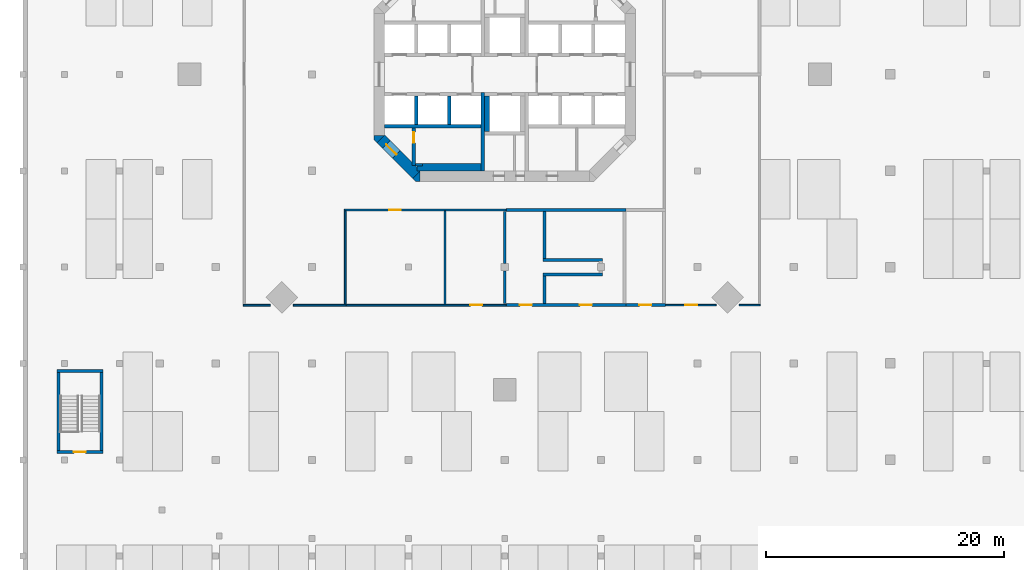
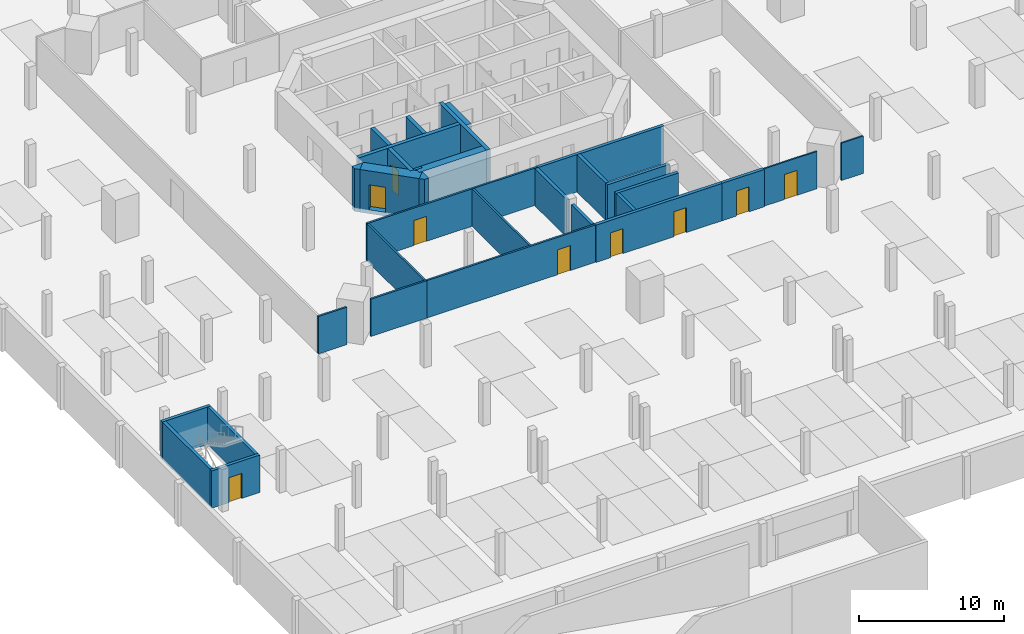
# One storey, part 3 of 14: 32 walls, 9 doors, 9 openings.
"""IFC4 building model written with IfcOpenShell, lengths in metres."""

from ifc_helpers import new_model, si_unit, direction, frame, frame_2d, origin, place, context, subcontext, project, spatial, polyline, rectangle, outline, extrude, material, layer, layer_set, type_object, element, fill, save


model = new_model("IFC4")

# Units and contexts
model_context = context("Model", 3, precision=1e-05, world=origin(), true_north=direction((0.0, 1.0)))
body_context = subcontext(model_context, "Body", "Model", "MODEL_VIEW")
ifc_project = project(units=[si_unit("LENGTHUNIT", "METRE"), si_unit("AREAUNIT", "SQUARE_METRE"), si_unit("VOLUMEUNIT", "CUBIC_METRE"), si_unit("PLANEANGLEUNIT", "RADIAN"), si_unit("MASSUNIT", "GRAM", prefix="KILO")], contexts=[model_context])

# Site, building, storey
site_placement = place(None, origin())
site = spatial("IfcSite", under=ifc_project, at=site_placement, CompositionType="ELEMENT")
building_placement = place(site_placement, origin())
building = spatial("IfcBuilding", under=site, at=building_placement, Name="Torre Triforio", CompositionType="ELEMENT")
storey_placement = place(building_placement, frame((0.0, 0.0, -3.60009765625)))
storey = spatial("IfcBuildingStorey", under=building, at=storey_placement, Name="B1", CompositionType="ELEMENT", Elevation=-3.60009765625)

# Wall
ifc_material_1 = material(Name="Concrete C60", Category="concrete")
ifc_layer_1 = layer(ifc_material_1, 0.300048828125)
ifc_layer_set_1 = layer_set([ifc_layer_1], Name="Concrete C60")
wall_type_1 = type_object("IfcWallType", Name="Core wall 300 mm C60 EI 120", PredefinedType="SHEAR", material=ifc_layer_set_1)
wall_1_placement = place(storey_placement, frame((-1.85009765625, -8.10009765625, 0.0), z_axis=(0.0, 0.0, 1.0), x_axis=(0.0, 1.0, 0.0)))
element("IfcWall", 1, at=wall_1_placement, inside=storey, type_object=wall_type_1, Name="Core wall", PredefinedType="SHEAR", context=body_context, shape_type="SweptSolid", body=[
    extrude(rectangle(XDim=6.60009765625, YDim=0.300048828125, at=frame_2d((3.300048828125, 0.0))), origin(), (0.0, 0.0, 1.0), 3.280029296875),
])

# Wall, opening, door
ifc_layer_2 = layer(ifc_material_1, 0.89990234375)
ifc_layer_set_2 = layer_set([ifc_layer_2], Name="Concrete C60")
wall_type_2 = type_object("IfcWallType", Name="Core wall 900 mm C60 EI 120", PredefinedType="SHEAR", material=ifc_layer_set_2)
wall_2_placement = place(storey_placement, frame((-7.418212890625, -8.418212890625, -0.31982421875), z_axis=(0.0, 0.0, 1.0), x_axis=(-0.707106781187, 0.707106781187, 0.0)))
wall_2 = element("IfcWall", 2, at=wall_2_placement, inside=storey, type_object=wall_type_2, Name="Core wall", PredefinedType="SHEAR", context=body_context, shape_type="SweptSolid", body=[
    extrude(rectangle(XDim=4.24267578125, YDim=0.89990234375, at=frame_2d((2.121337890625, 0.0))), origin(), (0.0, 0.0, 1.0), 3.599853515625),
])
opening_1_placement = place(wall_2_placement, frame((2.392578125, 0.0, 0.320068359375)))
opening_1 = element("IfcOpeningElement", 3, at=opening_1_placement, cuts=wall_2, Name="Opening ST3-EXIT", PredefinedType="OPENING", context=body_context, shape_type="SweptSolid", body=[
    extrude(rectangle(XDim=1.199951171875, YDim=2.10009765625, at=frame_2d((0.60009765625, 1.050048828125))), frame((0.0, 0.4599609375, 0.0), z_axis=(0.0, -1.0, 0.0), x_axis=(1.0, 0.0, 0.0)), (0.0, 0.0, 1.0), 0.919921875),
])
ifc_material_2 = material(Name="Hollow metal fire door leaf")
door_type_1 = type_object("IfcDoorType", Name="Stair lobby door 1200 x 2100 EI 60", OperationType="NOTDEFINED", PredefinedType="DOOR", material=ifc_material_2)
door_1_placement = place(opening_1_placement, origin())
door_1 = element("IfcDoor", 4, at=door_1_placement, inside=storey, type_object=door_type_1, Name="Core door ST3-EXIT", OperationType="SINGLE_SWING_RIGHT", OverallHeight=2.10009765625, OverallWidth=1.199951171875, PredefinedType="DOOR", context=body_context, shape_type="SweptSolid", body=[
    extrude(rectangle(XDim=1.199951171875, YDim=2.10009765625, at=frame_2d((0.60009765625, 1.050048828125))), frame((0.0, 0.02490234375, 0.0), z_axis=(0.0, -1.0, 0.0), x_axis=(1.0, 0.0, 0.0)), (0.0, 0.0, 1.0), 0.050048828125),
])
fill(opening_1, door_1)

# Walls
wall_3_placement = place(storey_placement, frame((0.0, 0.0, -0.31982421875)))
element("IfcWall", 5, at=wall_3_placement, inside=storey, type_object=wall_type_2, Name="Core wall", PredefinedType="SHEAR", context=body_context, shape_type="SweptSolid", body=[
    extrude(outline(polyline([(-7.472900390625, -9.0), (-7.736328125, -8.736328125), (-7.1298828125, -8.1298828125), (-7.1298828125, -9.0), (-7.472900390625, -9.0)])), origin(), (0.0, 0.0, 1.0), 3.599853515625),
])
wall_4_placement = place(storey_placement, frame((0.0, 0.0, -0.31982421875)))
element("IfcWall", 6, at=wall_4_placement, inside=storey, type_object=wall_type_2, Name="Core wall", PredefinedType="SHEAR", context=body_context, shape_type="SweptSolid", body=[
    extrude(outline(polyline([(-11.0, -5.472900390625), (-11.0, -5.1298828125), (-10.1298828125, -5.1298828125), (-10.736328125, -5.736328125), (-11.0, -5.472900390625)])), origin(), (0.0, 0.0, 1.0), 3.599853515625),
])
ifc_material_3 = material(Name="Plasterboard on metal studs")
ifc_layer_3 = layer(ifc_material_3, 0.14990234375)
ifc_layer_set_3 = layer_set([ifc_layer_3], Name="Plasterboard on metal studs")
wall_type_3 = type_object("IfcWallType", Name="Corridor wall 150 EI 60", PredefinedType="PARTITIONING", material=ifc_layer_set_3)
wall_5_placement = place(storey_placement, frame((-21.97509765625, -19.39990234375, 0.0), z_axis=(0.0, 0.0, 1.0), x_axis=(1.0, 0.0, 0.0)))
element("IfcWall", 7, at=wall_5_placement, inside=storey, type_object=wall_type_3, Name="Corridor wall B1 018", PredefinedType="PARTITIONING", context=body_context, shape_type="SweptSolid", body=[
    extrude(rectangle(XDim=2.27685546875, YDim=0.14990234375, at=frame_2d((1.138427734375, 0.0))), origin(), (0.0, 0.0, 1.0), 3.150146484375),
])
wall_6_placement = place(storey_placement, frame((-17.7783203125, -19.39990234375, 0.0), z_axis=(0.0, 0.0, 1.0), x_axis=(1.0, 0.0, 0.0)))
element("IfcWall", 8, at=wall_6_placement, inside=storey, type_object=wall_type_3, Name="Corridor wall B1 019", PredefinedType="PARTITIONING", context=body_context, shape_type="SweptSolid", body=[
    extrude(rectangle(XDim=4.453369140625, YDim=0.14990234375, at=frame_2d((2.2265625, 0.0))), origin(), (0.0, 0.0, 1.0), 3.150146484375),
])

# Wall, opening, door
ifc_layer_4 = layer(ifc_material_3, 0.1201171875)
ifc_layer_set_4 = layer_set([ifc_layer_4], Name="Plasterboard on metal studs")
wall_type_4 = type_object("IfcWallType", Name="Partition 120", PredefinedType="PARTITIONING", material=ifc_layer_set_4)
wall_7_placement = place(storey_placement, frame((13.52490234375, -19.39990234375, 0.0), z_axis=(0.0, 0.0, 1.0), x_axis=(1.0, 0.0, 0.0)))
wall_7 = element("IfcWall", 9, at=wall_7_placement, inside=storey, type_object=wall_type_4, Name="Partition B1 026", PredefinedType="PARTITIONING", context=body_context, shape_type="SweptSolid", body=[
    extrude(rectangle(XDim=4.25341796875, YDim=0.1201171875, at=frame_2d((2.126708984375, 0.0))), origin(), (0.0, 0.0, 1.0), 3.150146484375),
])
opening_2_placement = place(wall_7_placement, frame((1.64990234375, 0.0, 0.0)))
opening_2 = element("IfcOpeningElement", 10, at=opening_2_placement, cuts=wall_7, Name="Opening BS1-15", PredefinedType="OPENING", context=body_context, shape_type="SweptSolid", body=[
    extrude(rectangle(XDim=1.0, YDim=2.10009765625, at=frame_2d((0.5, 1.050048828125))), frame((0.0, 0.070068359375, 0.0), z_axis=(0.0, -1.0, 0.0), x_axis=(1.0, 0.0, 0.0)), (0.0, 0.0, 1.0), 0.14013671875),
])
ifc_material_4 = material(Name="Timber door leaf", Category="wood")
door_type_2 = type_object("IfcDoorType", Name="Single door 1000 x 2100", OperationType="NOTDEFINED", PredefinedType="DOOR", material=ifc_material_4)
door_2_placement = place(opening_2_placement, origin())
door_2 = element("IfcDoor", 11, at=door_2_placement, inside=storey, type_object=door_type_2, Name="Door BS1-15", OperationType="SINGLE_SWING_LEFT", OverallHeight=2.10009765625, OverallWidth=1.0, PredefinedType="DOOR", context=body_context, shape_type="SweptSolid", body=[
    extrude(rectangle(XDim=1.0, YDim=2.10009765625, at=frame_2d((0.5, 1.050048828125))), frame((0.0, 0.02490234375, 0.0), z_axis=(0.0, -1.0, 0.0), x_axis=(1.0, 0.0, 0.0)), (0.0, 0.0, 1.0), 0.050048828125),
])
fill(opening_2, door_2)

# Wall
wall_8_placement = place(storey_placement, frame((19.6982421875, -19.39990234375, 0.0), z_axis=(0.0, 0.0, 1.0), x_axis=(1.0, 0.0, 0.0)))
element("IfcWall", 12, at=wall_8_placement, inside=storey, type_object=wall_type_4, Name="Partition B1 027", PredefinedType="PARTITIONING", context=body_context, shape_type="SweptSolid", body=[
    extrude(rectangle(XDim=1.76171875, YDim=0.1201171875, at=frame_2d((0.880859375, 0.0))), origin(), (0.0, 0.0, 1.0), 3.150146484375),
])

# Wall, openings, doors
ifc_material_5 = material(Name="Masonry block", Category="masonry")
ifc_layer_5 = layer(ifc_material_5, 0.25)
ifc_layer_set_5 = layer_set([ifc_layer_5], Name="Masonry block")
wall_type_5 = type_object("IfcWallType", Name="Plant room wall 250 EI 120", PredefinedType="PARTITIONING", material=ifc_layer_set_5)
wall_9_placement = place(storey_placement, frame((0.125, -19.39990234375, 0.0), z_axis=(0.0, 0.0, 1.0), x_axis=(1.0, 0.0, 0.0)))
wall_9 = element("IfcWall", 13, at=wall_9_placement, inside=storey, type_object=wall_type_5, Name="Plant room wall B1 049", PredefinedType="PARTITIONING", context=body_context, shape_type="SweptSolid", body=[
    extrude(rectangle(XDim=10.050048828125, YDim=0.25, at=frame_2d((5.02490234375, 0.0))), origin(), (0.0, 0.0, 1.0), 3.150146484375),
])
opening_3_placement = place(wall_9_placement, frame((1.14990234375, 0.0, 0.0)))
opening_3 = element("IfcOpeningElement", 14, at=opening_3_placement, cuts=wall_9, Name="Opening BS1-12", PredefinedType="OPENING", context=body_context, shape_type="SweptSolid", body=[
    extrude(rectangle(XDim=1.0, YDim=2.10009765625, at=frame_2d((0.5, 1.050048828125))), frame((0.0, 0.135009765625, 0.0), z_axis=(0.0, -1.0, 0.0), x_axis=(1.0, 0.0, 0.0)), (0.0, 0.0, 1.0), 0.27001953125),
])
opening_4_placement = place(wall_9_placement, frame((6.199951171875, 0.0, 0.0)))
opening_4 = element("IfcOpeningElement", 15, at=opening_4_placement, cuts=wall_9, Name="Opening BS1-13", PredefinedType="OPENING", context=body_context, shape_type="SweptSolid", body=[
    extrude(rectangle(XDim=1.0, YDim=2.10009765625, at=frame_2d((0.5, 1.050048828125))), frame((0.0, 0.135009765625, 0.0), z_axis=(0.0, -1.0, 0.0), x_axis=(1.0, 0.0, 0.0)), (0.0, 0.0, 1.0), 0.27001953125),
])
door_type_3 = type_object("IfcDoorType", Name="Fire door 1000 x 2100 EI 60", OperationType="NOTDEFINED", PredefinedType="DOOR", material=ifc_material_2)
door_3_placement = place(opening_3_placement, origin())
door_3 = element("IfcDoor", 16, at=door_3_placement, inside=storey, type_object=door_type_3, Name="Door BS1-12", OperationType="SINGLE_SWING_LEFT", OverallHeight=2.10009765625, OverallWidth=1.0, PredefinedType="DOOR", context=body_context, shape_type="SweptSolid", body=[
    extrude(rectangle(XDim=1.0, YDim=2.10009765625, at=frame_2d((0.5, 1.050048828125))), frame((0.0, 0.02490234375, 0.0), z_axis=(0.0, -1.0, 0.0), x_axis=(1.0, 0.0, 0.0)), (0.0, 0.0, 1.0), 0.050048828125),
])
fill(opening_3, door_3)
door_4_placement = place(opening_4_placement, origin())
door_4 = element("IfcDoor", 17, at=door_4_placement, inside=storey, type_object=door_type_3, Name="Door BS1-13", OperationType="SINGLE_SWING_LEFT", OverallHeight=2.10009765625, OverallWidth=1.0, PredefinedType="DOOR", context=body_context, shape_type="SweptSolid", body=[
    extrude(rectangle(XDim=1.0, YDim=2.10009765625, at=frame_2d((0.5, 1.050048828125))), frame((0.0, 0.02490234375, 0.0), z_axis=(0.0, -1.0, 0.0), x_axis=(1.0, 0.0, 0.0)), (0.0, 0.0, 1.0), 0.050048828125),
])
fill(opening_4, door_4)

# Walls
wall_10_placement = place(storey_placement, frame((0.125, -11.39990234375, 0.0), z_axis=(0.0, 0.0, 1.0), x_axis=(1.0, 0.0, 0.0)))
element("IfcWall", 18, at=wall_10_placement, inside=storey, type_object=wall_type_5, Name="Plant room wall B1 052", PredefinedType="PARTITIONING", context=body_context, shape_type="SweptSolid", body=[
    extrude(rectangle(XDim=10.050048828125, YDim=0.25, at=frame_2d((5.02490234375, 0.0))), origin(), (0.0, 0.0, 1.0), 3.150146484375),
])
wall_11_placement = place(storey_placement, frame((0.0, -19.27490234375, 0.0), z_axis=(0.0, 0.0, 1.0), x_axis=(0.0, 1.0, 0.0)))
element("IfcWall", 19, at=wall_11_placement, inside=storey, type_object=wall_type_5, Name="Plant room wall B1 055", PredefinedType="PARTITIONING", context=body_context, shape_type="SweptSolid", body=[
    extrude(rectangle(XDim=2.764892578125, YDim=0.25, at=frame_2d((1.38232421875, 0.0))), origin(), (0.0, 0.0, 1.0), 3.150146484375),
])
wall_12_placement = place(storey_placement, frame((0.0, -15.889892578125, 0.0), z_axis=(0.0, 0.0, 1.0), x_axis=(0.0, 1.0, 0.0)))
element("IfcWall", 20, at=wall_12_placement, inside=storey, type_object=wall_type_5, Name="Plant room wall B1 056", PredefinedType="PARTITIONING", context=body_context, shape_type="SweptSolid", body=[
    extrude(rectangle(XDim=4.364990234375, YDim=0.25, at=frame_2d((2.1826171875, 0.0))), origin(), (0.0, 0.0, 1.0), 3.150146484375),
])
for number, where, z_axis, x_axis, name in (
    (21, (3.22509765625, -16.800048828125, 0.0), (0.0, 0.0, 1.0), (1.0, 0.0, 0.0), "Plant room wall B1 057"),
    (22, (3.22509765625, -15.60009765625, 0.0), (0.0, 0.0, 1.0), (1.0, 0.0, 0.0), "Plant room wall B1 058"),
):
    element("IfcWall", number, at=place(storey_placement, frame(where, z_axis=z_axis, x_axis=x_axis)), inside=storey, type_object=wall_type_5, Name=name, PredefinedType="PARTITIONING", context=body_context, shape_type="SweptSolid", body=[
        extrude(rectangle(XDim=4.97998046875, YDim=0.25, at=frame_2d((2.489990234375, 0.0))), origin(), (0.0, 0.0, 1.0), 3.150146484375),
    ])
wall_13_placement = place(storey_placement, frame((3.35009765625, -19.27490234375, 0.0), z_axis=(0.0, 0.0, 1.0), x_axis=(0.0, 1.0, 0.0)))
element("IfcWall", 23, at=wall_13_placement, inside=storey, type_object=wall_type_5, Name="Plant room wall B1 059", PredefinedType="PARTITIONING", context=body_context, shape_type="SweptSolid", body=[
    extrude(rectangle(XDim=2.349853515625, YDim=0.25, at=frame_2d((1.1748046875, 0.0))), origin(), (0.0, 0.0, 1.0), 3.150146484375),
])
wall_14_placement = place(storey_placement, frame((3.35009765625, -15.47509765625, 0.0), z_axis=(0.0, 0.0, 1.0), x_axis=(0.0, 1.0, 0.0)))
element("IfcWall", 24, at=wall_14_placement, inside=storey, type_object=wall_type_5, Name="Plant room wall B1 060", PredefinedType="PARTITIONING", context=body_context, shape_type="SweptSolid", body=[
    extrude(rectangle(XDim=3.9501953125, YDim=0.25, at=frame_2d((1.97509765625, 0.0))), origin(), (0.0, 0.0, 1.0), 3.150146484375),
])

# Wall, opening, door
ifc_layer_6 = layer(ifc_material_5, 0.25)
ifc_layer_set_6 = layer_set([ifc_layer_6], Name="Masonry block")
wall_type_6 = type_object("IfcWallType", Name="Riser wall 250 EI 120", PredefinedType="PARTITIONING", material=ifc_layer_set_6)
wall_15_placement = place(storey_placement, frame((10.175048828125, -19.39990234375, 0.0), z_axis=(0.0, 0.0, 1.0), x_axis=(1.0, 0.0, 0.0)))
wall_15 = element("IfcWall", 25, at=wall_15_placement, inside=storey, type_object=wall_type_6, Name="Riser wall B1 050", PredefinedType="PARTITIONING", context=body_context, shape_type="SweptSolid", body=[
    extrude(rectangle(XDim=3.349853515625, YDim=0.25, at=frame_2d((1.6748046875, 0.0))), origin(), (0.0, 0.0, 1.0), 3.150146484375),
])
opening_5_placement = place(wall_15_placement, frame((1.14990234375, 0.0, 0.0)))
opening_5 = element("IfcOpeningElement", 26, at=opening_5_placement, cuts=wall_15, Name="Opening BS1-14", PredefinedType="OPENING", context=body_context, shape_type="SweptSolid", body=[
    extrude(rectangle(XDim=1.0, YDim=2.10009765625, at=frame_2d((0.5, 1.050048828125))), frame((0.0, 0.135009765625, 0.0), z_axis=(0.0, -1.0, 0.0), x_axis=(1.0, 0.0, 0.0)), (0.0, 0.0, 1.0), 0.27001953125),
])
door_type_4 = type_object("IfcDoorType", Name="Riser door 1000 x 2100 EI 60", OperationType="NOTDEFINED", PredefinedType="DOOR", material=ifc_material_2)
door_5_placement = place(opening_5_placement, origin())
door_5 = element("IfcDoor", 27, at=door_5_placement, inside=storey, type_object=door_type_4, Name="Door BS1-14", OperationType="SINGLE_SWING_LEFT", OverallHeight=2.10009765625, OverallWidth=1.0, PredefinedType="DOOR", context=body_context, shape_type="SweptSolid", body=[
    extrude(rectangle(XDim=1.0, YDim=2.10009765625, at=frame_2d((0.5, 1.050048828125))), frame((0.0, 0.02490234375, 0.0), z_axis=(0.0, -1.0, 0.0), x_axis=(1.0, 0.0, 0.0)), (0.0, 0.0, 1.0), 0.050048828125),
])
fill(opening_5, door_5)

# Walls
ifc_layer_7 = layer(ifc_material_1, 0.300048828125)
ifc_layer_set_7 = layer_set([ifc_layer_7], Name="Concrete C60")
wall_type_7 = type_object("IfcWallType", Name="Shaft wall 300 mm C60 EI 120", PredefinedType="SOLIDWALL", material=ifc_layer_set_7)
wall_16_placement = place(storey_placement, frame((-10.10009765625, -4.35009765625, 0.0), z_axis=(0.0, 0.0, 1.0), x_axis=(1.0, 0.0, 0.0)))
element("IfcWall", 28, at=wall_16_placement, inside=storey, type_object=wall_type_7, Name="Shaft wall", PredefinedType="SOLIDWALL", context=body_context, shape_type="SweptSolid", body=[
    extrude(rectangle(XDim=8.10009765625, YDim=0.300048828125, at=frame_2d((4.050048828125, 0.0))), origin(), (0.0, 0.0, 1.0), 3.280029296875),
])
for number, where, z_axis, x_axis, name in (
    (29, (-7.449951171875, -4.199951171875, 0.0), (0.0, 0.0, 1.0), (0.0, 1.0, 0.0), "Shaft wall"),
    (30, (-4.64990234375, -4.199951171875, 0.0), (0.0, 0.0, 1.0), (0.0, 1.0, 0.0), "Shaft wall"),
):
    element("IfcWall", number, at=place(storey_placement, frame(where, z_axis=z_axis, x_axis=x_axis)), inside=storey, type_object=wall_type_7, Name=name, PredefinedType="SOLIDWALL", context=body_context, shape_type="SweptSolid", body=[
        extrude(rectangle(XDim=2.39990234375, YDim=0.300048828125, at=frame_2d((1.199951171875, 0.0))), origin(), (0.0, 0.0, 1.0), 3.280029296875),
    ])
ifc_layer_8 = layer(ifc_material_1, 0.39990234375)
ifc_layer_set_8 = layer_set([ifc_layer_8], Name="Concrete C60")
wall_type_8 = type_object("IfcWallType", Name="Shaft wall 400 mm C60 EI 120", PredefinedType="SOLIDWALL", material=ifc_layer_set_8)
wall_17_placement = place(storey_placement, frame((-1.5, -4.800048828125, 0.0), z_axis=(0.0, 0.0, 1.0), x_axis=(0.0, 1.0, 0.0)))
element("IfcWall", 31, at=wall_17_placement, inside=storey, type_object=wall_type_8, Name="Shaft wall", PredefinedType="SOLIDWALL", context=body_context, shape_type="SweptSolid", body=[
    extrude(rectangle(XDim=3.0, YDim=0.39990234375, at=frame_2d((1.5, 0.0))), origin(), (0.0, 0.0, 1.0), 3.280029296875),
])

# Wall, opening, door
ifc_material_6 = material(Name="Concrete C40", Category="concrete")
ifc_layer_9 = layer(ifc_material_6, 0.25)
ifc_layer_set_9 = layer_set([ifc_layer_9], Name="Concrete C40")
wall_type_9 = type_object("IfcWallType", Name="Stair enclosure wall 250 EI 120", PredefinedType="STANDARD", material=ifc_layer_set_9)
wall_18_placement = place(storey_placement, frame((-37.625, -31.75, 0.0), z_axis=(0.0, 0.0, 1.0), x_axis=(1.0, 0.0, 0.0)))
wall_18 = element("IfcWall", 32, at=wall_18_placement, inside=storey, type_object=wall_type_9, Name="Stair enclosure wall B1 001", PredefinedType="STANDARD", context=body_context, shape_type="SweptSolid", body=[
    extrude(rectangle(XDim=3.85009765625, YDim=0.25, at=frame_2d((1.925048828125, 0.0))), origin(), (0.0, 0.0, 1.0), 3.150146484375),
])
opening_6_placement = place(wall_18_placement, frame((1.39990234375, 0.0, 0.0)))
opening_6 = element("IfcOpeningElement", 33, at=opening_6_placement, cuts=wall_18, Name="Opening BS1-01", PredefinedType="OPENING", context=body_context, shape_type="SweptSolid", body=[
    extrude(rectangle(XDim=1.0, YDim=2.10009765625, at=frame_2d((0.5, 1.050048828125))), frame((0.0, 0.135009765625, 0.0), z_axis=(0.0, -1.0, 0.0), x_axis=(1.0, 0.0, 0.0)), (0.0, 0.0, 1.0), 0.27001953125),
])
door_type_5 = type_object("IfcDoorType", Name="Stair door 1000 x 2100 EI 90", OperationType="NOTDEFINED", PredefinedType="DOOR", material=ifc_material_2)
door_6_placement = place(opening_6_placement, origin())
door_6 = element("IfcDoor", 34, at=door_6_placement, inside=storey, type_object=door_type_5, Name="Door BS1-01", OperationType="SINGLE_SWING_LEFT", OverallHeight=2.10009765625, OverallWidth=1.0, PredefinedType="DOOR", context=body_context, shape_type="SweptSolid", body=[
    extrude(rectangle(XDim=1.0, YDim=2.10009765625, at=frame_2d((0.5, 1.050048828125))), frame((0.0, 0.02490234375, 0.0), z_axis=(0.0, -1.0, 0.0), x_axis=(1.0, 0.0, 0.0)), (0.0, 0.0, 1.0), 0.050048828125),
])
fill(opening_6, door_6)

# Walls
wall_19_placement = place(storey_placement, frame((-37.625, -24.949951171875, 0.0), z_axis=(0.0, 0.0, 1.0), x_axis=(1.0, 0.0, 0.0)))
element("IfcWall", 35, at=wall_19_placement, inside=storey, type_object=wall_type_9, Name="Stair enclosure wall B1 002", PredefinedType="STANDARD", context=body_context, shape_type="SweptSolid", body=[
    extrude(rectangle(XDim=3.85009765625, YDim=0.25, at=frame_2d((1.925048828125, 0.0))), origin(), (0.0, 0.0, 1.0), 3.150146484375),
])
for number, where, z_axis, x_axis, name in (
    (36, (-37.5, -31.625, 0.0), (0.0, 0.0, 1.0), (0.0, 1.0, 0.0), "Stair enclosure wall B1 003"),
    (37, (-33.89990234375, -31.625, 0.0), (0.0, 0.0, 1.0), (0.0, 1.0, 0.0), "Stair enclosure wall B1 004"),
):
    element("IfcWall", number, at=place(storey_placement, frame(where, z_axis=z_axis, x_axis=x_axis)), inside=storey, type_object=wall_type_9, Name=name, PredefinedType="STANDARD", context=body_context, shape_type="SweptSolid", body=[
        extrude(rectangle(XDim=6.550048828125, YDim=0.25, at=frame_2d((3.27490234375, 0.0))), origin(), (0.0, 0.0, 1.0), 3.150146484375),
    ])
ifc_layer_10 = layer(ifc_material_1, 0.199951171875)
ifc_layer_set_10 = layer_set([ifc_layer_10], Name="Concrete C60")
wall_type_10 = type_object("IfcWallType", Name="Stair wall 200 mm C60 EI 120", PredefinedType="SHEAR", material=ifc_layer_set_10)
wall_20_placement = place(storey_placement, frame((-7.5, -7.60009765625, 0.0), z_axis=(0.0, 0.0, 1.0), x_axis=(1.0, 0.0, 0.0)))
element("IfcWall", 38, at=wall_20_placement, inside=storey, type_object=wall_type_10, Name="Stair wall", PredefinedType="SHEAR", context=body_context, shape_type="SweptSolid", body=[
    extrude(rectangle(XDim=0.60009765625, YDim=0.199951171875, at=frame_2d((0.300048828125, 0.0))), origin(), (0.0, 0.0, 1.0), 3.280029296875),
])

# Wall, opening, door
ifc_layer_11 = layer(ifc_material_1, 0.300048828125)
ifc_layer_set_11 = layer_set([ifc_layer_11], Name="Concrete C60")
wall_type_11 = type_object("IfcWallType", Name="Stair wall 300 mm C60 EI 120", PredefinedType="SHEAR", material=ifc_layer_set_11)
wall_21_placement = place(storey_placement, frame((-7.64990234375, -7.639892578125, 0.0), z_axis=(0.0, 0.0, 1.0), x_axis=(0.0, 1.0, 0.0)))
wall_21 = element("IfcWall", 39, at=wall_21_placement, inside=storey, type_object=wall_type_11, Name="Stair wall", PredefinedType="SHEAR", context=body_context, shape_type="SweptSolid", body=[
    extrude(rectangle(XDim=3.139892578125, YDim=0.300048828125, at=frame_2d((1.56982421875, 0.0))), origin(), (0.0, 0.0, 1.0), 3.280029296875),
])
opening_7_placement = place(wall_21_placement, frame((1.889892578125, 0.0, 0.0)))
opening_7 = element("IfcOpeningElement", 40, at=opening_7_placement, cuts=wall_21, Name="Opening ST3-ST", PredefinedType="OPENING", context=body_context, shape_type="SweptSolid", body=[
    extrude(rectangle(XDim=0.89990234375, YDim=2.10009765625, at=frame_2d((0.449951171875, 1.050048828125))), frame((0.0, 0.159912109375, 0.0), z_axis=(0.0, -1.0, 0.0), x_axis=(1.0, 0.0, 0.0)), (0.0, 0.0, 1.0), 0.320068359375),
])
door_type_6 = type_object("IfcDoorType", Name="Fan room door 900 x 2100 EI 60", OperationType="NOTDEFINED", PredefinedType="DOOR", material=ifc_material_2)
door_7_placement = place(opening_7_placement, origin())
door_7 = element("IfcDoor", 41, at=door_7_placement, inside=storey, type_object=door_type_6, Name="Core door ST3-ST", OperationType="SINGLE_SWING_LEFT", OverallHeight=2.10009765625, OverallWidth=0.89990234375, PredefinedType="DOOR", context=body_context, shape_type="SweptSolid", body=[
    extrude(rectangle(XDim=0.89990234375, YDim=2.10009765625, at=frame_2d((0.449951171875, 1.050048828125))), frame((0.0, 0.02490234375, 0.0), z_axis=(0.0, -1.0, 0.0), x_axis=(1.0, 0.0, 0.0)), (0.0, 0.0, 1.0), 0.050048828125),
])
fill(opening_7, door_7)

# Walls
ifc_layer_12 = layer(ifc_material_1, 0.60009765625)
ifc_layer_set_12 = layer_set([ifc_layer_12], Name="Concrete C60")
wall_type_12 = type_object("IfcWallType", Name="Stair wall 600 mm C60 EI 120", PredefinedType="SHEAR", material=ifc_layer_set_12)
wall_22_placement = place(storey_placement, frame((-7.3701171875, -7.800048828125, 0.0), z_axis=(0.0, 0.0, 1.0), x_axis=(1.0, 0.0, 0.0)))
element("IfcWall", 42, at=wall_22_placement, inside=storey, type_object=wall_type_12, Name="Stair wall", PredefinedType="SHEAR", context=body_context, shape_type="SweptSolid", body=[
    extrude(rectangle(XDim=5.3701171875, YDim=0.60009765625, at=frame_2d((2.68505859375, 0.0))), origin(), (0.0, 0.0, 1.0), 3.280029296875),
])
ifc_layer_13 = layer(ifc_material_3, 0.14990234375)
ifc_layer_set_13 = layer_set([ifc_layer_13], Name="Plasterboard on metal studs")
wall_type_13 = type_object("IfcWallType", Name="Wet room wall 150", PredefinedType="PARTITIONING", material=ifc_layer_set_13)
wall_23_placement = place(storey_placement, frame((-13.39990234375, -19.324951171875, 0.0), z_axis=(0.0, 0.0, 1.0), x_axis=(0.0, 1.0, 0.0)))
element("IfcWall", 43, at=wall_23_placement, inside=storey, type_object=wall_type_13, Name="Wet room wall B1 023", PredefinedType="PARTITIONING", context=body_context, shape_type="SweptSolid", body=[
    extrude(rectangle(XDim=7.849853515625, YDim=0.14990234375, at=frame_2d((3.9248046875, 0.0))), origin(), (0.0, 0.0, 1.0), 3.150146484375),
])

# Wall, opening, door
wall_24_placement = place(storey_placement, frame((-13.324951171875, -19.39990234375, 0.0), z_axis=(0.0, 0.0, 1.0), x_axis=(1.0, 0.0, 0.0)))
wall_24 = element("IfcWall", 44, at=wall_24_placement, inside=storey, type_object=wall_type_13, Name="Wet room wall B1 048", PredefinedType="PARTITIONING", context=body_context, shape_type="SweptSolid", body=[
    extrude(rectangle(XDim=13.449951171875, YDim=0.14990234375, at=frame_2d((6.72509765625, 0.0))), origin(), (0.0, 0.0, 1.0), 3.150146484375),
])
opening_8_placement = place(wall_24_placement, frame((10.425048828125, 0.0, 0.0)))
opening_8 = element("IfcOpeningElement", 45, at=opening_8_placement, cuts=wall_24, Name="Opening BS1-11", PredefinedType="OPENING", context=body_context, shape_type="SweptSolid", body=[
    extrude(rectangle(XDim=1.0, YDim=2.10009765625, at=frame_2d((0.5, 1.050048828125))), frame((0.0, 0.0849609375, 0.0), z_axis=(0.0, -1.0, 0.0), x_axis=(1.0, 0.0, 0.0)), (0.0, 0.0, 1.0), 0.169921875),
])
door_8_placement = place(opening_8_placement, origin())
door_8 = element("IfcDoor", 46, at=door_8_placement, inside=storey, type_object=door_type_2, Name="Door BS1-11", OperationType="SINGLE_SWING_LEFT", OverallHeight=2.10009765625, OverallWidth=1.0, PredefinedType="DOOR", context=body_context, shape_type="SweptSolid", body=[
    extrude(rectangle(XDim=1.0, YDim=2.10009765625, at=frame_2d((0.5, 1.050048828125))), frame((0.0, 0.02490234375, 0.0), z_axis=(0.0, -1.0, 0.0), x_axis=(1.0, 0.0, 0.0)), (0.0, 0.0, 1.0), 0.050048828125),
])
fill(opening_8, door_8)

wall_25_placement = place(storey_placement, frame((-13.47509765625, -11.39990234375, 0.0), z_axis=(0.0, 0.0, 1.0), x_axis=(1.0, 0.0, 0.0)))
wall_25 = element("IfcWall", 47, at=wall_25_placement, inside=storey, type_object=wall_type_13, Name="Wet room wall B1 051", PredefinedType="PARTITIONING", context=body_context, shape_type="SweptSolid", body=[
    extrude(rectangle(XDim=13.60009765625, YDim=0.14990234375, at=frame_2d((6.800048828125, 0.0))), origin(), (0.0, 0.0, 1.0), 3.150146484375),
])
opening_9_placement = place(wall_25_placement, frame((3.75, 0.0, 0.0)))
opening_9 = element("IfcOpeningElement", 48, at=opening_9_placement, cuts=wall_25, Name="Opening BS1-10", PredefinedType="OPENING", context=body_context, shape_type="SweptSolid", body=[
    extrude(rectangle(XDim=1.0, YDim=2.10009765625, at=frame_2d((0.5, 1.050048828125))), frame((0.0, 0.0849609375, 0.0), z_axis=(0.0, -1.0, 0.0), x_axis=(1.0, 0.0, 0.0)), (0.0, 0.0, 1.0), 0.169921875),
])
door_9_placement = place(opening_9_placement, origin())
door_9 = element("IfcDoor", 49, at=door_9_placement, inside=storey, type_object=door_type_2, Name="Door BS1-10", OperationType="SINGLE_SWING_LEFT", OverallHeight=2.10009765625, OverallWidth=1.0, PredefinedType="DOOR", context=body_context, shape_type="SweptSolid", body=[
    extrude(rectangle(XDim=1.0, YDim=2.10009765625, at=frame_2d((0.5, 1.050048828125))), frame((0.0, 0.02490234375, 0.0), z_axis=(0.0, -1.0, 0.0), x_axis=(1.0, 0.0, 0.0)), (0.0, 0.0, 1.0), 0.050048828125),
])
fill(opening_9, door_9)

# Wall
wall_26_placement = place(storey_placement, frame((-5.02490234375, -19.324951171875, 0.0), z_axis=(0.0, 0.0, 1.0), x_axis=(0.0, 1.0, 0.0)))
element("IfcWall", 50, at=wall_26_placement, inside=storey, type_object=wall_type_13, Name="Wet room wall B1 054", PredefinedType="PARTITIONING", context=body_context, shape_type="SweptSolid", body=[
    extrude(rectangle(XDim=7.849853515625, YDim=0.14990234375, at=frame_2d((3.9248046875, 0.0))), origin(), (0.0, 0.0, 1.0), 3.150146484375),
])

save(model, "model.ifc")
